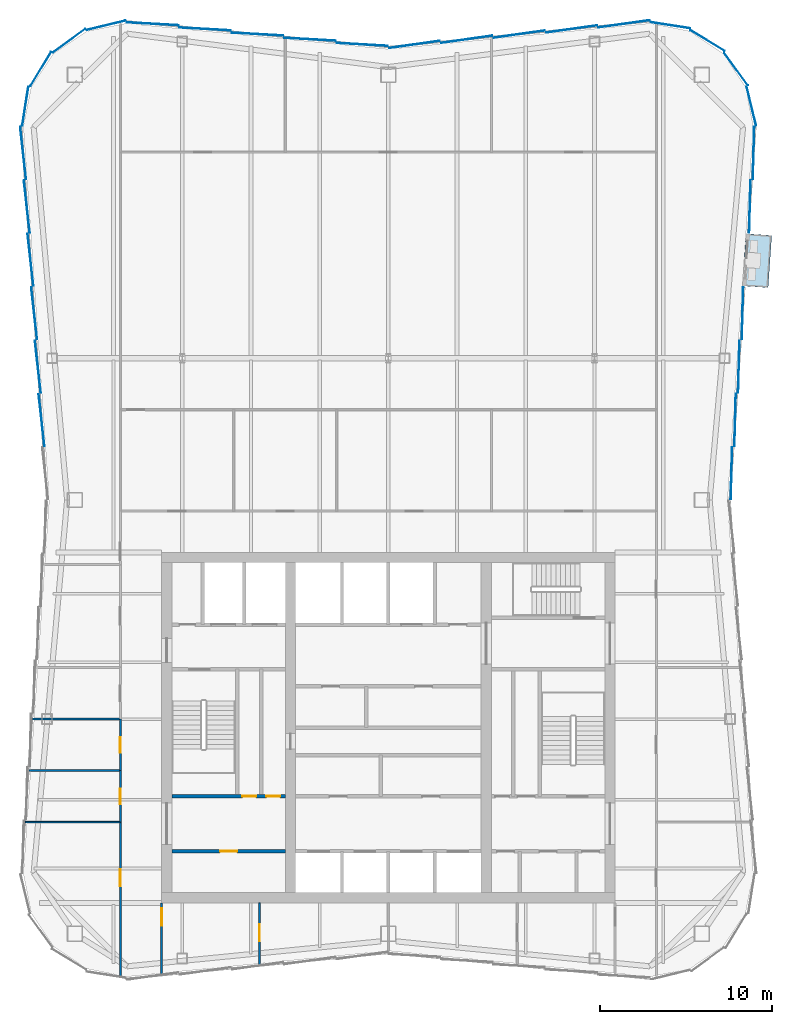
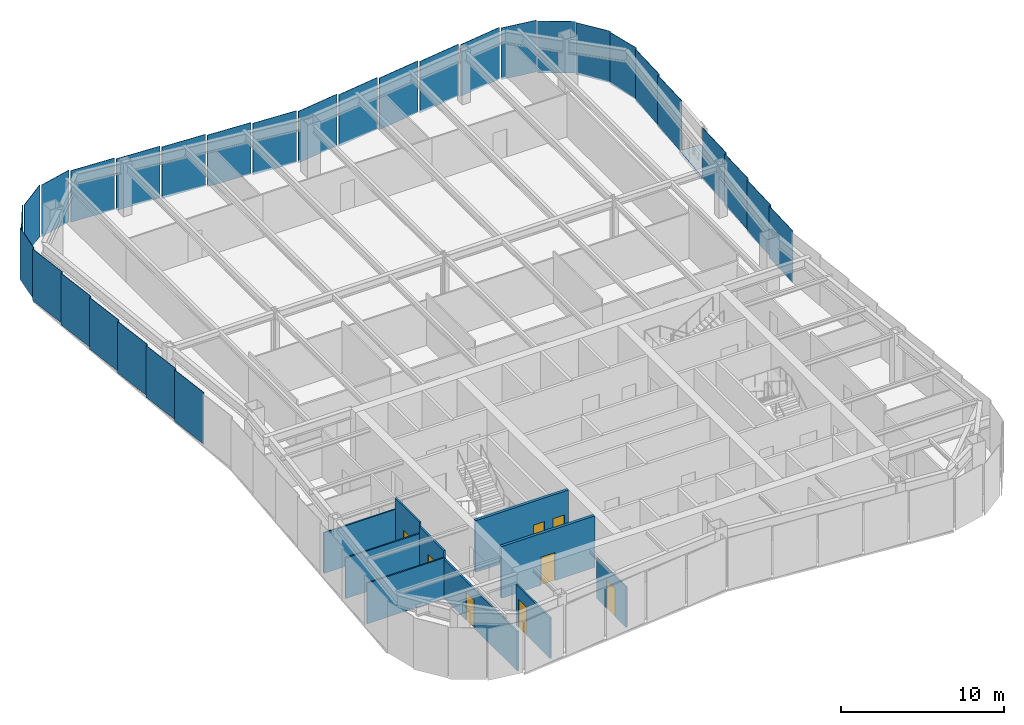
# One storey, part 5 of 10: 30 plates, 10 walls, 8 doors, 1 slab, 8 openings, 5 elements without a shape of their own.
"""IFC4 building model written with IfcOpenShell, lengths in metres."""

import ifcopenshell
import ifcopenshell.guid

model = None  # the IFC model being written
_history = None  # IfcOwnerHistory: only IFC2X3 demands one
_inside = {}  # id of a spatial element -> (the spatial element, [elements in it])
_under = {}  # id of a project, library or spatial element -> (it, [spatial elements below it])
_declared = {}  # id of a project -> (the project, [libraries it declares])
_typed = {}  # id of a type object -> (the type object, [elements of that type])
_made_of = {}  # id of a material, layer set ... -> (it, [elements and type objects made of it])


def new_model(schema):
    """Start an empty IFC model of exactly this schema.

    Asked for "IFC4X3", IfcOpenShell would pick the latest addendum, in which some entities
    have other attributes; the version numbers below select the first issue.
    IFC2X3 requires an IfcOwnerHistory on every rooted entity: one is made here for all.
    """
    global model, _history
    if schema == "IFC4X3":
        model = ifcopenshell.file(schema_version=(4, 3, 0, 0))
    else:
        model = ifcopenshell.file(schema=schema)
    _inside.clear()
    _under.clear()
    _declared.clear()
    _typed.clear()
    _made_of.clear()
    _history = None
    if model.schema == "IFC2X3":
        org = make("IfcOrganization", Name="unknown")
        user = make(
            "IfcPersonAndOrganization",
            ThePerson=make("IfcPerson", FamilyName="unknown"),
            TheOrganization=org,
        )
        app = make(
            "IfcApplication",
            ApplicationDeveloper=org,
            Version="unknown",
            ApplicationFullName="unknown",
            ApplicationIdentifier="unknown",
        )
        _history = make(
            "IfcOwnerHistory",
            OwningUser=user,
            OwningApplication=app,
            ChangeAction="ADDED",
            CreationDate=0,
        )
    return model


def make(cls, **values):
    """One entity of the class cls with the attributes given. An attribute that is None is left unset."""
    return model.create_entity(
        cls, **{name: value for name, value in values.items() if value is not None}
    )


def rooted(cls, **values):
    """An entity with a GlobalId (a new one), such as an element, a storey or a relation."""
    return make(cls, GlobalId=ifcopenshell.guid.new(), OwnerHistory=_history, **values)


def si_unit(unit_type, name, prefix=None):
    """IfcSIUnit, for example si_unit("LENGTHUNIT", "METRE", prefix="MILLI")."""
    return make("IfcSIUnit", UnitType=unit_type, Prefix=prefix, Name=name)


def assignment(units):
    """IfcUnitAssignment: the units of a project."""
    return None if units is None else make("IfcUnitAssignment", Units=units)


def point(xyz):
    """IfcCartesianPoint."""
    return None if xyz is None else make("IfcCartesianPoint", Coordinates=xyz)


def direction(xyz):
    """IfcDirection."""
    return None if xyz is None else make("IfcDirection", DirectionRatios=xyz)


def frame(location, z_axis=None, x_axis=None):
    """IfcAxis2Placement3D, a coordinate frame: its origin and axes. An axis left out is left unset."""
    return make(
        "IfcAxis2Placement3D",
        Location=point(location),
        Axis=direction(z_axis),
        RefDirection=direction(x_axis),
    )


def frame_2d(location, x_axis=None):
    """IfcAxis2Placement2D, a coordinate frame in the plane: its origin and x axis."""
    return make(
        "IfcAxis2Placement2D", Location=point(location), RefDirection=direction(x_axis)
    )


def origin():
    """The frame at (0, 0, 0) with its axes left unset."""
    return frame((0.0, 0.0, 0.0))


def origin_2d():
    """The frame at (0, 0) in the plane with its x axis left unset."""
    return frame_2d((0.0, 0.0))


def place(relative_to, where):
    """IfcLocalPlacement: puts the frame where relative to a parent placement (None: the world)."""
    return make(
        "IfcLocalPlacement", PlacementRelTo=relative_to, RelativePlacement=where
    )


def context(
    kind, dimensions, precision=None, world=None, true_north=None, identifier=None
):
    """IfcGeometricRepresentationContext, for example the 3D "Model" context."""
    return make(
        "IfcGeometricRepresentationContext",
        ContextIdentifier=identifier,
        ContextType=kind,
        CoordinateSpaceDimension=dimensions,
        Precision=precision,
        WorldCoordinateSystem=world,
        TrueNorth=true_north,
    )


def subcontext(parent, identifier, kind, view, scale=None):
    """IfcGeometricRepresentationSubContext, for example "Body" below "Model"."""
    return make(
        "IfcGeometricRepresentationSubContext",
        ContextIdentifier=identifier,
        ContextType=kind,
        ParentContext=parent,
        TargetScale=scale,
        TargetView=view,
    )


def project(units=None, contexts=None):
    """IfcProject with its units and contexts."""
    return rooted(
        "IfcProject",
        Name="project",
        RepresentationContexts=contexts,
        UnitsInContext=assignment(units),
    )


def spatial(cls, under=None, at=None, **own):
    """A site, building, storey or space (cls), placed at a placement, below another one or the project."""
    s = rooted(cls, ObjectPlacement=at, **own)
    if under is not None:
        _under.setdefault(under.id(), (under, []))[1].append(s)
    return s


def polyline(points):
    """IfcPolyline through the points."""
    return make("IfcPolyline", Points=[point(p) for p in points])


def profile(cls, at=None, kind="AREA", **sizes):
    """A parametric profile (cls). Its sizes go by their IFC names, for example OverallWidth=200.0."""
    return make(cls, ProfileType=kind, Position=at, **sizes)


def rectangle(**sizes):
    """IfcRectangleProfileDef."""
    return profile("IfcRectangleProfileDef", **sizes)


def outline(outer, holes=None, kind="AREA"):
    """IfcArbitraryClosedProfileDef: a profile drawn as a closed curve; with holes, ...WithVoids."""
    if holes is None:
        return make("IfcArbitraryClosedProfileDef", ProfileType=kind, OuterCurve=outer)
    return make(
        "IfcArbitraryProfileDefWithVoids",
        ProfileType=kind,
        OuterCurve=outer,
        InnerCurves=holes,
    )


def extrude(swept, where, along, depth):
    """IfcExtrudedAreaSolid: the profile swept, set in the frame where, extruded along a direction by depth."""
    return make(
        "IfcExtrudedAreaSolid",
        SweptArea=swept,
        Position=where,
        ExtrudedDirection=direction(along),
        Depth=depth,
    )


def shape(context_of_items, identifier, shape_type, items):
    """IfcShapeRepresentation: the items that make up one representation, for example the "Body"."""
    return make(
        "IfcShapeRepresentation",
        ContextOfItems=context_of_items,
        RepresentationIdentifier=identifier,
        RepresentationType=shape_type,
        Items=items,
    )


def material(Name=None, Category=None):
    """IfcMaterial."""
    return make("IfcMaterial", Name=Name, Category=Category)


def layer(
    of_material, thickness, ventilated=None, Name=None, Category=None, Priority=None
):
    """IfcMaterialLayer: one layer of a wall or slab, of a material (None: an air gap)."""
    return make(
        "IfcMaterialLayer",
        Material=of_material,
        LayerThickness=thickness,
        IsVentilated=ventilated,
        Name=Name,
        Category=Category,
        Priority=Priority,
    )


def layer_set(layers, Name=None):
    """IfcMaterialLayerSet."""
    return make("IfcMaterialLayerSet", MaterialLayers=layers, LayerSetName=Name)


def made_of(thing, what):
    """Note that an element or type object is made of a material, layer set ...; save() writes the relation."""
    if what is not None:
        _made_of.setdefault(what.id(), (what, []))[1].append(thing)
    return thing


def type_object(cls, material=None, **own):
    """A type object (cls), such as IfcWallType, which elements share."""
    return made_of(rooted(cls, **own), material)


def element(
    cls,
    number,
    at=None,
    inside=None,
    cuts=None,
    type_object=None,
    material=None,
    context=None,
    identifier="Body",
    shape_type=None,
    held_by="IfcProductDefinitionShape",
    body=None,
    shapes=None,
    **own,
):
    """One element of the class cls, such as IfcWall. Its Tag is "e" and its number.

    at: its placement. inside: the storey or other place that contains it. cuts: it is an
    opening in that element (IfcRelVoidsElement). A single representation is given by context,
    identifier, shape_type and body (its items); several are given by shapes. held_by: the class
    of the entity that holds the representations. save() writes the other relations.
    """
    e = rooted(cls, Tag="e%d" % number, ObjectPlacement=at, **own)
    if body is not None:
        shapes = [shape(context, identifier, shape_type, body)]
    if shapes is not None:
        e.Representation = make(held_by, Representations=shapes)
    if inside is not None:
        _inside.setdefault(inside.id(), (inside, []))[1].append(e)
    if cuts is not None:
        rooted(
            "IfcRelVoidsElement", RelatingBuildingElement=cuts, RelatedOpeningElement=e
        )
    if type_object is not None:
        _typed.setdefault(type_object.id(), (type_object, []))[1].append(e)
    return made_of(e, material)


def fill(opening, filler):
    """IfcRelFillsElement: the door or window that sits in an opening."""
    return rooted(
        "IfcRelFillsElement",
        RelatingOpeningElement=opening,
        RelatedBuildingElement=filler,
    )


def aggregate(whole, parts):
    """IfcRelAggregates: a whole, such as a stair, and the parts it consists of."""
    return rooted("IfcRelAggregates", RelatingObject=whole, RelatedObjects=parts)


def save(model, path):
    """Write the relations noted so far, then the file.

    IfcRelAggregates (storeys below a building ...), IfcRelContainedInSpatialStructure (elements
    in a storey), IfcRelDefinesByType, IfcRelAssociatesMaterial and IfcRelDeclares: one each for
    every whole, place, type object, material and project.
    """
    for whole, parts in _under.values():
        aggregate(whole, parts)
    for where, things in _inside.values():
        rooted(
            "IfcRelContainedInSpatialStructure",
            RelatedElements=things,
            RelatingStructure=where,
        )
    for kind, things in _typed.values():
        rooted("IfcRelDefinesByType", RelatedObjects=things, RelatingType=kind)
    for what, things in _made_of.values():
        rooted("IfcRelAssociatesMaterial", RelatedObjects=things, RelatingMaterial=what)
    for by, libraries in _declared.values():
        rooted("IfcRelDeclares", RelatingContext=by, RelatedDefinitions=libraries)
    model.write(path)


model = new_model("IFC4")

# Units and contexts
model_context = context("Model", 3, precision=1e-05, world=origin(), true_north=direction((0.0, 1.0)))
body_context = subcontext(model_context, "Body", "Model", "MODEL_VIEW")
ifc_project = project(units=[si_unit("LENGTHUNIT", "METRE"), si_unit("AREAUNIT", "SQUARE_METRE"), si_unit("VOLUMEUNIT", "CUBIC_METRE"), si_unit("PLANEANGLEUNIT", "RADIAN"), si_unit("MASSUNIT", "GRAM", prefix="KILO")], contexts=[model_context])

# Site, building, storey
site_placement = place(None, origin())
site = spatial("IfcSite", under=ifc_project, at=site_placement, CompositionType="ELEMENT")
building_placement = place(site_placement, origin())
building = spatial("IfcBuilding", under=site, at=building_placement, Name="Verdant Reach Tower", CompositionType="ELEMENT")
storey_placement = place(building_placement, frame((0.0, 0.0, 322.0)))
storey = spatial("IfcBuildingStorey", under=building, at=storey_placement, Name="L74", CompositionType="ELEMENT", Elevation=322.0)

# Slab
ifc_material_1 = material(Name="Concrete C35/45", Category="concrete")
ifc_layer_1 = layer(ifc_material_1, 0.25)
ifc_layer_set_1 = layer_set([ifc_layer_1], Name="EN-BALCONY SLAB")
slab_type = type_object("IfcSlabType", Name="EN-BALCONY SLAB", PredefinedType="FLOOR", material=ifc_layer_set_1)
slab_placement = place(storey_placement, frame((0.0, 0.0, -0.25)))
element("IfcSlab", 1, at=slab_placement, inside=storey, type_object=slab_type, Name="Balcony slab 1, L74", PredefinedType="FLOOR", context=body_context, shape_type="SweptSolid", body=[
    extrude(outline(polyline([(20.609619140625, 53.71337890625), (20.819091796875, 56.750732421875), (22.3154296875, 56.647705078125), (22.10595703125, 53.6103515625), (20.609619140625, 53.71337890625)])), origin(), (0.0, 0.0, 1.0), 0.25),
])

# Curtain wall, plates
ifc_material_2 = material(Name="Anodised aluminium", Category="aluminium")
curtain_wall_type = type_object("IfcCurtainWallType", Name="EN-CW SYSTEM Z5", PredefinedType="NOTDEFINED", material=ifc_material_2)
curtain_wall_1_placement = place(storey_placement, origin())
curtain_wall_1 = element("IfcCurtainWall", 2, at=curtain_wall_1_placement, inside=storey, type_object=curtain_wall_type, Name="Curtain wall east, L74", PredefinedType="NOTDEFINED")
ifc_material_3 = material(Name="Tinted glass with champagne spandrel", Category="glass")
ifc_layer_2 = layer(ifc_material_3, 0.031982421875)
ifc_layer_set_2 = layer_set([ifc_layer_2], Name="EN-PANEL CHAMPAGNE")
plate_type_1 = type_object("IfcPlateType", Name="EN-PANEL CHAMPAGNE", PredefinedType="CURTAIN_PANEL", material=ifc_layer_set_2)
plate_1_placement = place(storey_placement, frame((19.971923828125, 42.799560546875, -0.219970703125), z_axis=(0.0, 0.0, 1.0), x_axis=(0.027053006415, 0.999634000444, 0.0)))
plate_1 = element("IfcPlate", 3, at=plate_1_placement, type_object=plate_type_1, Name="Glass panel east face part 2 1.1, L74", PredefinedType="CURTAIN_PANEL", context=body_context, shape_type="SweptSolid", body=[
    extrude(rectangle(XDim=3.04052734375, YDim=0.031982421875, at=origin_2d()), origin(), (0.0, 0.0, 1.0), 3.8701171875),
])
plate_2_placement = place(storey_placement, frame((20.18603515625, 45.90283203125, -0.219970703125), z_axis=(0.0, 0.0, 1.0), x_axis=(0.026965318308, 0.999636369691, 0.0)))
plate_2 = element("IfcPlate", 4, at=plate_2_placement, type_object=plate_type_1, Name="Glass panel east face part 2 2.1, L74", PredefinedType="CURTAIN_PANEL", context=body_context, shape_type="SweptSolid", body=[
    extrude(rectangle(XDim=3.048583984375, YDim=0.031982421875, at=origin_2d()), origin(), (0.0, 0.0, 1.0), 3.8701171875),
])

curtain_wall_2_placement = place(storey_placement, origin())
curtain_wall_2 = element("IfcCurtainWall", 5, at=curtain_wall_2_placement, inside=storey, type_object=curtain_wall_type, Name="Curtain wall north, L74", PredefinedType="NOTDEFINED")
plate_3_placement = place(storey_placement, frame((4.563720703125, 68.064453125, -0.219970703125), z_axis=(0.0, 0.0, 1.0), x_axis=(-0.990225318365, -0.139476947446, 0.0)))
plate_3 = element("IfcPlate", 6, at=plate_3_placement, type_object=plate_type_1, Name="Glass panel north face part 1 4.1, L74", PredefinedType="CURTAIN_PANEL", context=body_context, shape_type="SweptSolid", body=[
    extrude(rectangle(XDim=2.998779296875, YDim=0.031982421875, at=origin_2d()), origin(), (0.0, 0.0, 1.0), 3.8701171875),
])
plate_4_placement = place(storey_placement, frame((1.519287109375, 67.7646484375, -0.219970703125), z_axis=(0.0, 0.0, 1.0), x_axis=(-0.990200074141, -0.139656053116, 0.0)))
plate_4 = element("IfcPlate", 7, at=plate_4_placement, type_object=plate_type_1, Name="Glass panel north face part 1 5.1, L74", PredefinedType="CURTAIN_PANEL", context=body_context, shape_type="SweptSolid", body=[
    extrude(rectangle(XDim=2.987548828125, YDim=0.031982421875, at=origin_2d()), origin(), (0.0, 0.0, 1.0), 3.8701171875),
])

# Curtain wall, plate
curtain_wall_3_placement = place(storey_placement, origin())
curtain_wall_3 = element("IfcCurtainWall", 8, at=curtain_wall_3_placement, inside=storey, type_object=curtain_wall_type, Name="Curtain wall north-west corner, L74", PredefinedType="NOTDEFINED")
plate_5_placement = place(storey_placement, frame((-21.132080078125, 64.173828125, -0.219970703125), z_axis=(0.0, 0.0, 1.0), x_axis=(-0.154337499461, -0.988018186199, 0.0)))
plate_5 = element("IfcPlate", 9, at=plate_5_placement, type_object=plate_type_1, Name="Glass panel north-west corner 4.1, L74", PredefinedType="CURTAIN_PANEL", context=body_context, shape_type="SweptSolid", body=[
    extrude(rectangle(XDim=2.312744140625, YDim=0.031982421875, at=origin_2d()), origin(), (0.0, 0.0, 1.0), 3.8701171875),
])

# Curtain wall, plates
curtain_wall_4_placement = place(storey_placement, origin())
curtain_wall_4 = element("IfcCurtainWall", 10, at=curtain_wall_4_placement, inside=storey, type_object=curtain_wall_type, Name="Curtain wall west, L74", PredefinedType="NOTDEFINED")
plate_6_placement = place(storey_placement, frame((-20.8291015625, 55.22412109375, -0.219970703125), z_axis=(0.0, 0.0, 1.0), x_axis=(0.110518162674, -0.993874104562, 0.0)))
plate_6 = element("IfcPlate", 11, at=plate_6_placement, type_object=plate_type_1, Name="Glass panel west face part 1 3.1, L74", PredefinedType="CURTAIN_PANEL", context=body_context, shape_type="SweptSolid", body=[
    extrude(rectangle(XDim=3.048583984375, YDim=0.031982421875, at=origin_2d()), origin(), (0.0, 0.0, 1.0), 3.8701171875),
])
plate_7_placement = place(storey_placement, frame((-20.61474609375, 52.1171875, -0.219970703125), z_axis=(0.0, 0.0, 1.0), x_axis=(0.110518162674, -0.993874104562, 0.0)))
plate_7 = element("IfcPlate", 12, at=plate_7_placement, type_object=plate_type_1, Name="Glass panel west face part 1 4.1, L74", PredefinedType="CURTAIN_PANEL", context=body_context, shape_type="SweptSolid", body=[
    extrude(rectangle(XDim=3.048583984375, YDim=0.031982421875, at=origin_2d()), origin(), (0.0, 0.0, 1.0), 3.8701171875),
])

# Plate
ifc_material_4 = material(Name="Tinted glass with copper spandrel", Category="glass")
ifc_layer_3 = layer(ifc_material_4, 0.031982421875)
ifc_layer_set_3 = layer_set([ifc_layer_3], Name="EN-PANEL COPPER")
plate_type_2 = type_object("IfcPlateType", Name="EN-PANEL COPPER", PredefinedType="CURTAIN_PANEL", material=ifc_layer_set_3)
plate_8_placement = place(storey_placement, frame((20.400390625, 49.010009765625, -0.219970703125), z_axis=(0.0, 0.0, 1.0), x_axis=(0.026965318308, 0.999636369691, 0.0)))
plate_8 = element("IfcPlate", 13, at=plate_8_placement, type_object=plate_type_2, Name="Glass panel east face part 2 3.1, L74", PredefinedType="CURTAIN_PANEL", context=body_context, shape_type="SweptSolid", body=[
    extrude(rectangle(XDim=3.048583984375, YDim=0.031982421875, at=origin_2d()), origin(), (0.0, 0.0, 1.0), 3.8701171875),
])

plate_9_placement = place(storey_placement, frame((20.61474609375, 52.1171875, -0.219970703125), z_axis=(0.0, 0.0, 1.0), x_axis=(0.026965318308, 0.999636369691, 0.0)))
plate_9 = element("IfcPlate", 14, at=plate_9_placement, type_object=plate_type_2, Name="Glass panel east face part 2 4.1, L74", PredefinedType="CURTAIN_PANEL", context=body_context, shape_type="SweptSolid", body=[
    extrude(rectangle(XDim=3.048583984375, YDim=0.031982421875, at=origin_2d()), origin(), (0.0, 0.0, 1.0), 3.8701171875),
])

# Curtain wall, plates
curtain_wall_5_placement = place(storey_placement, origin())
curtain_wall_5 = element("IfcCurtainWall", 15, at=curtain_wall_5_placement, inside=storey, type_object=curtain_wall_type, Name="Curtain wall north-east corner, L74", PredefinedType="NOTDEFINED")
plate_10_placement = place(storey_placement, frame((21.132080078125, 64.173828125, -0.219970703125), z_axis=(0.0, 0.0, 1.0), x_axis=(-0.236471447122, 0.971638438256, 0.0)))
plate_10 = element("IfcPlate", 16, at=plate_10_placement, type_object=plate_type_2, Name="Glass panel north-east corner 1.1, L74", PredefinedType="CURTAIN_PANEL", context=body_context, shape_type="SweptSolid", body=[
    extrude(rectangle(XDim=2.312744140625, YDim=0.031982421875, at=origin_2d()), origin(), (0.0, 0.0, 1.0), 3.8701171875),
])
plate_11_placement = place(storey_placement, frame((20.23681640625, 66.33203125, -0.219970703125), z_axis=(0.0, 0.0, 1.0), x_axis=(-0.58992672698, 0.807456783236, 0.0)))
plate_11 = element("IfcPlate", 17, at=plate_11_placement, type_object=plate_type_2, Name="Glass panel north-east corner 2.1, L74", PredefinedType="CURTAIN_PANEL", context=body_context, shape_type="SweptSolid", body=[
    extrude(rectangle(XDim=2.320068359375, YDim=0.031982421875, at=origin_2d()), origin(), (0.0, 0.0, 1.0), 3.8701171875),
])
plate_12_placement = place(storey_placement, frame((18.58203125, 67.98681640625, -0.219970703125), z_axis=(0.0, 0.0, 1.0), x_axis=(-0.853988714885, 0.520291528711, 0.0)))
plate_12 = element("IfcPlate", 18, at=plate_12_placement, type_object=plate_type_2, Name="Glass panel north-east corner 3.1, L74", PredefinedType="CURTAIN_PANEL", context=body_context, shape_type="SweptSolid", body=[
    extrude(rectangle(XDim=2.320068359375, YDim=0.031982421875, at=origin_2d()), origin(), (0.0, 0.0, 1.0), 3.8701171875),
])

# Plate
plate_13_placement = place(storey_placement, frame((13.72216796875, 68.964599609375, -0.219970703125), z_axis=(0.0, 0.0, 1.0), x_axis=(-0.990281521639, -0.139077345032, 0.0)))
plate_13 = element("IfcPlate", 19, at=plate_13_placement, type_object=plate_type_2, Name="Glass panel north face part 1 1.1, L74", PredefinedType="CURTAIN_PANEL", context=body_context, shape_type="SweptSolid", body=[
    extrude(rectangle(XDim=3.015625, YDim=0.031982421875, at=origin_2d()), origin(), (0.0, 0.0, 1.0), 3.8701171875),
])

plate_14_placement = place(storey_placement, frame((-1.519287109375, 67.7646484375, -0.219970703125), z_axis=(0.0, 0.0, 1.0), x_axis=(-0.998413420442, 0.05630845301, 0.0)))
plate_14 = element("IfcPlate", 20, at=plate_14_placement, type_object=plate_type_2, Name="Glass panel north face part 2 1.1, L74", PredefinedType="CURTAIN_PANEL", context=body_context, shape_type="SweptSolid", body=[
    extrude(rectangle(XDim=2.987548828125, YDim=0.031982421875, at=origin_2d()), origin(), (0.0, 0.0, 1.0), 3.8701171875),
])

plate_15_placement = place(storey_placement, frame((-4.563720703125, 68.064453125, -0.219970703125), z_axis=(0.0, 0.0, 1.0), x_axis=(-0.998423588956, 0.056127863106, 0.0)))
plate_15 = element("IfcPlate", 21, at=plate_15_placement, type_object=plate_type_2, Name="Glass panel north face part 2 2.1, L74", PredefinedType="CURTAIN_PANEL", context=body_context, shape_type="SweptSolid", body=[
    extrude(rectangle(XDim=2.998779296875, YDim=0.031982421875, at=origin_2d()), origin(), (0.0, 0.0, 1.0), 3.8701171875),
])

plate_16_placement = place(storey_placement, frame((-16.4228515625, 68.88232421875, -0.219970703125), z_axis=(0.0, 0.0, 1.0), x_axis=(-0.971661765526, -0.236375577028, 0.0)))
plate_16 = element("IfcPlate", 22, at=plate_16_placement, type_object=plate_type_2, Name="Glass panel north-west corner 1.1, L74", PredefinedType="CURTAIN_PANEL", context=body_context, shape_type="SweptSolid", body=[
    extrude(rectangle(XDim=2.314453125, YDim=0.031982421875, at=origin_2d()), origin(), (0.0, 0.0, 1.0), 3.8701171875),
])

plate_17_placement = place(storey_placement, frame((-20.400390625, 49.010009765625, -0.219970703125), z_axis=(0.0, 0.0, 1.0), x_axis=(0.110518162674, -0.993874104562, 0.0)))
plate_17 = element("IfcPlate", 23, at=plate_17_placement, type_object=plate_type_2, Name="Glass panel west face part 1 5.1, L74", PredefinedType="CURTAIN_PANEL", context=body_context, shape_type="SweptSolid", body=[
    extrude(rectangle(XDim=3.048583984375, YDim=0.031982421875, at=origin_2d()), origin(), (0.0, 0.0, 1.0), 3.8701171875),
])

plate_18_placement = place(storey_placement, frame((-20.18603515625, 45.90283203125, -0.219970703125), z_axis=(0.0, 0.0, 1.0), x_axis=(0.110518162674, -0.993874104562, 0.0)))
plate_18 = element("IfcPlate", 24, at=plate_18_placement, type_object=plate_type_2, Name="Glass panel west face part 1 6.1, L74", PredefinedType="CURTAIN_PANEL", context=body_context, shape_type="SweptSolid", body=[
    extrude(rectangle(XDim=3.048583984375, YDim=0.031982421875, at=origin_2d()), origin(), (0.0, 0.0, 1.0), 3.8701171875),
])

ifc_material_5 = material(Name="Tinted glass with dark bronze spandrel", Category="glass")
ifc_layer_4 = layer(ifc_material_5, 0.031982421875)
ifc_layer_set_4 = layer_set([ifc_layer_4], Name="EN-PANEL DARK")
plate_type_3 = type_object("IfcPlateType", Name="EN-PANEL DARK", PredefinedType="CURTAIN_PANEL", material=ifc_layer_set_4)
plate_19_placement = place(storey_placement, frame((21.043212890625, 58.331298828125, -0.219970703125), z_axis=(0.0, 0.0, 1.0), x_axis=(0.026965318308, 0.999636369691, 0.0)))
plate_19 = element("IfcPlate", 25, at=plate_19_placement, type_object=plate_type_3, Name="Glass panel east face part 2 6.1, L74", PredefinedType="CURTAIN_PANEL", context=body_context, shape_type="SweptSolid", body=[
    extrude(rectangle(XDim=3.048583984375, YDim=0.031982421875, at=origin_2d()), origin(), (0.0, 0.0, 1.0), 3.8701171875),
])

plate_20_placement = place(storey_placement, frame((21.257568359375, 61.446044921875, -0.219970703125), z_axis=(0.0, 0.0, 1.0), x_axis=(0.026642881595, 0.999645015423, 0.0)))
plate_20 = element("IfcPlate", 26, at=plate_20_placement, type_object=plate_type_3, Name="Glass panel east face part 2 7.1, L74", PredefinedType="CURTAIN_PANEL", context=body_context, shape_type="SweptSolid", body=[
    extrude(rectangle(XDim=3.063720703125, YDim=0.031982421875, at=origin_2d()), origin(), (0.0, 0.0, 1.0), 3.8701171875),
])

aggregate(curtain_wall_1, [plate_1, plate_2, plate_8, plate_9, plate_19, plate_20])

plate_21_placement = place(storey_placement, frame((16.4228515625, 68.88232421875, -0.219970703125), z_axis=(0.0, 0.0, 1.0), x_axis=(-0.988033409454, 0.154240013621, 0.0)))
plate_21 = element("IfcPlate", 27, at=plate_21_placement, type_object=plate_type_3, Name="Glass panel north-east corner 4.1, L74", PredefinedType="CURTAIN_PANEL", context=body_context, shape_type="SweptSolid", body=[
    extrude(rectangle(XDim=2.314453125, YDim=0.031982421875, at=origin_2d()), origin(), (0.0, 0.0, 1.0), 3.8701171875),
])

aggregate(curtain_wall_5, [plate_10, plate_11, plate_12, plate_21])

plate_22_placement = place(storey_placement, frame((10.663818359375, 68.66455078125, -0.219970703125), z_axis=(0.0, 0.0, 1.0), x_axis=(-0.990225318365, -0.139476947446, 0.0)))
plate_22 = element("IfcPlate", 28, at=plate_22_placement, type_object=plate_type_3, Name="Glass panel north face part 1 2.1, L74", PredefinedType="CURTAIN_PANEL", context=body_context, shape_type="SweptSolid", body=[
    extrude(rectangle(XDim=2.998779296875, YDim=0.031982421875, at=origin_2d()), origin(), (0.0, 0.0, 1.0), 3.8701171875),
])

plate_23_placement = place(storey_placement, frame((7.61376953125, 68.364501953125, -0.219970703125), z_axis=(0.0, 0.0, 1.0), x_axis=(-0.990225318365, -0.139476947446, 0.0)))
plate_23 = element("IfcPlate", 29, at=plate_23_placement, type_object=plate_type_3, Name="Glass panel north face part 1 3.1, L74", PredefinedType="CURTAIN_PANEL", context=body_context, shape_type="SweptSolid", body=[
    extrude(rectangle(XDim=2.998779296875, YDim=0.031982421875, at=origin_2d()), origin(), (0.0, 0.0, 1.0), 3.8701171875),
])

plate_24_placement = place(storey_placement, frame((-7.61376953125, 68.364501953125, -0.219970703125), z_axis=(0.0, 0.0, 1.0), x_axis=(-0.998423588956, 0.056127863106, 0.0)))
plate_24 = element("IfcPlate", 30, at=plate_24_placement, type_object=plate_type_3, Name="Glass panel north face part 2 3.1, L74", PredefinedType="CURTAIN_PANEL", context=body_context, shape_type="SweptSolid", body=[
    extrude(rectangle(XDim=2.998779296875, YDim=0.031982421875, at=origin_2d()), origin(), (0.0, 0.0, 1.0), 3.8701171875),
])

plate_25_placement = place(storey_placement, frame((-10.663818359375, 68.66455078125, -0.219970703125), z_axis=(0.0, 0.0, 1.0), x_axis=(-0.998423588956, 0.056127863106, 0.0)))
plate_25 = element("IfcPlate", 31, at=plate_25_placement, type_object=plate_type_3, Name="Glass panel north face part 2 4.1, L74", PredefinedType="CURTAIN_PANEL", context=body_context, shape_type="SweptSolid", body=[
    extrude(rectangle(XDim=2.998779296875, YDim=0.031982421875, at=origin_2d()), origin(), (0.0, 0.0, 1.0), 3.8701171875),
])

plate_26_placement = place(storey_placement, frame((-13.72216796875, 68.964599609375, -0.219970703125), z_axis=(0.0, 0.0, 1.0), x_axis=(-0.998446157248, 0.055724959185, 0.0)))
plate_26 = element("IfcPlate", 32, at=plate_26_placement, type_object=plate_type_3, Name="Glass panel north face part 2 5.1, L74", PredefinedType="CURTAIN_PANEL", context=body_context, shape_type="SweptSolid", body=[
    extrude(rectangle(XDim=3.015625, YDim=0.031982421875, at=origin_2d()), origin(), (0.0, 0.0, 1.0), 3.8701171875),
])

aggregate(curtain_wall_2, [plate_13, plate_22, plate_23, plate_3, plate_4, plate_14, plate_15, plate_24, plate_25, plate_26])

plate_27_placement = place(storey_placement, frame((-18.58203125, 67.98681640625, -0.219970703125), z_axis=(0.0, 0.0, 1.0), x_axis=(-0.807456783236, -0.58992672698, 0.0)))
plate_27 = element("IfcPlate", 33, at=plate_27_placement, type_object=plate_type_3, Name="Glass panel north-west corner 2.1, L74", PredefinedType="CURTAIN_PANEL", context=body_context, shape_type="SweptSolid", body=[
    extrude(rectangle(XDim=2.320068359375, YDim=0.031982421875, at=origin_2d()), origin(), (0.0, 0.0, 1.0), 3.8701171875),
])

plate_28_placement = place(storey_placement, frame((-20.23681640625, 66.33203125, -0.219970703125), z_axis=(0.0, 0.0, 1.0), x_axis=(-0.520291528711, -0.853988714885, 0.0)))
plate_28 = element("IfcPlate", 34, at=plate_28_placement, type_object=plate_type_3, Name="Glass panel north-west corner 3.1, L74", PredefinedType="CURTAIN_PANEL", context=body_context, shape_type="SweptSolid", body=[
    extrude(rectangle(XDim=2.320068359375, YDim=0.031982421875, at=origin_2d()), origin(), (0.0, 0.0, 1.0), 3.8701171875),
])

aggregate(curtain_wall_3, [plate_16, plate_27, plate_28, plate_5])

plate_29_placement = place(storey_placement, frame((-21.257568359375, 61.446044921875, -0.219970703125), z_axis=(0.0, 0.0, 1.0), x_axis=(0.110197580247, -0.993909700782, 0.0)))
plate_29 = element("IfcPlate", 35, at=plate_29_placement, type_object=plate_type_3, Name="Glass panel west face part 1 1.1, L74", PredefinedType="CURTAIN_PANEL", context=body_context, shape_type="SweptSolid", body=[
    extrude(rectangle(XDim=3.063720703125, YDim=0.031982421875, at=origin_2d()), origin(), (0.0, 0.0, 1.0), 3.8701171875),
])

plate_30_placement = place(storey_placement, frame((-21.043212890625, 58.331298828125, -0.219970703125), z_axis=(0.0, 0.0, 1.0), x_axis=(0.110518162674, -0.993874104562, 0.0)))
plate_30 = element("IfcPlate", 36, at=plate_30_placement, type_object=plate_type_3, Name="Glass panel west face part 1 2.1, L74", PredefinedType="CURTAIN_PANEL", context=body_context, shape_type="SweptSolid", body=[
    extrude(rectangle(XDim=3.048583984375, YDim=0.031982421875, at=origin_2d()), origin(), (0.0, 0.0, 1.0), 3.8701171875),
])

aggregate(curtain_wall_4, [plate_29, plate_30, plate_6, plate_7, plate_17, plate_18])

# Wall, opening, door
ifc_material_6 = material(Name="Gypsum board on steel studs", Category="steel")
ifc_layer_5 = layer(ifc_material_6, 0.199951171875)
ifc_layer_set_5 = layer_set([ifc_layer_5], Name="CO-WALL-ROOM")
wall_type_1 = type_object("IfcWallType", Name="CO-WALL-ROOM", PredefinedType="PARTITIONING", material=ifc_layer_set_5)
wall_1_placement = place(storey_placement, frame((-12.60009765625, 20.800048828125, 0.0), z_axis=(0.0, 0.0, 1.0), x_axis=(1.0, 0.0, 0.0)))
wall_1 = element("IfcWall", 37, at=wall_1_placement, inside=storey, type_object=wall_type_1, Name="Core partition, L74", PredefinedType="PARTITIONING", context=body_context, shape_type="SweptSolid", body=[
    extrude(rectangle(XDim=6.60009765625, YDim=0.199951171875, at=frame_2d((3.300048828125, 0.0))), origin(), (0.0, 0.0, 1.0), 3.8701171875),
])
opening_1_placement = place(wall_1_placement, frame((2.800048828125, 0.0, 0.0)))
opening_1 = element("IfcOpeningElement", 38, at=opening_1_placement, cuts=wall_1, Name="Opening CD", PredefinedType="OPENING", context=body_context, shape_type="SweptSolid", body=[
    extrude(rectangle(XDim=1.0, YDim=2.10009765625, at=frame_2d((0.5, 1.050048828125))), frame((0.0, 0.10986328125, 0.0), z_axis=(0.0, -1.0, 0.0), x_axis=(1.0, 0.0, 0.0)), (0.0, 0.0, 1.0), 0.219970703125),
])
ifc_material_7 = material(Name="Timber", Category="wood")
door_type_1 = type_object("IfcDoorType", Name="CO-DOOR-ROOM", OperationType="NOTDEFINED", PredefinedType="DOOR", material=ifc_material_7)
door_1_placement = place(opening_1_placement, origin())
door_1 = element("IfcDoor", 39, at=door_1_placement, inside=storey, type_object=door_type_1, Name="Core room door, L74", OperationType="SINGLE_SWING_LEFT", OverallHeight=2.10009765625, OverallWidth=1.0, PredefinedType="DOOR", context=body_context, shape_type="SweptSolid", body=[
    extrude(rectangle(XDim=1.0, YDim=2.10009765625, at=frame_2d((0.5, 1.050048828125))), frame((0.0, 0.02490234375, 0.0), z_axis=(0.0, -1.0, 0.0), x_axis=(1.0, 0.0, 0.0)), (0.0, 0.0, 1.0), 0.050048828125),
])
fill(opening_1, door_1)

# Wall, openings, doors
ifc_material_8 = material(Name="Concrete C40/50", Category="concrete")
ifc_layer_6 = layer(ifc_material_8, 0.199951171875)
ifc_layer_set_6 = layer_set([ifc_layer_6], Name="CO-WALL-STAIR")
wall_type_2 = type_object("IfcWallType", Name="CO-WALL-STAIR", PredefinedType="PARTITIONING", material=ifc_layer_set_6)
wall_2_placement = place(storey_placement, frame((-12.60009765625, 24.0, 0.0), z_axis=(0.0, 0.0, 1.0), x_axis=(1.0, 0.0, 0.0)))
wall_2 = element("IfcWall", 40, at=wall_2_placement, inside=storey, type_object=wall_type_2, Name="Stair enclosure wall, L74", PredefinedType="PARTITIONING", context=body_context, shape_type="SweptSolid", body=[
    extrude(rectangle(XDim=6.60009765625, YDim=0.199951171875, at=frame_2d((3.300048828125, 0.0))), origin(), (0.0, 0.0, 1.0), 3.8701171875),
])
opening_2_placement = place(wall_2_placement, frame((4.10009765625, 0.0, 0.0)))
opening_2 = element("IfcOpeningElement", 41, at=opening_2_placement, cuts=wall_2, Name="Opening CDN", PredefinedType="OPENING", context=body_context, shape_type="SweptSolid", body=[
    extrude(rectangle(XDim=0.800048828125, YDim=2.10009765625, at=frame_2d((0.39990234375, 1.050048828125))), frame((0.0, 0.10986328125, 0.0), z_axis=(0.0, -1.0, 0.0), x_axis=(1.0, 0.0, 0.0)), (0.0, 0.0, 1.0), 0.219970703125),
])
opening_3_placement = place(wall_2_placement, frame((5.5, 0.0, 0.0)))
opening_3 = element("IfcOpeningElement", 42, at=opening_3_placement, cuts=wall_2, Name="Opening CDN", PredefinedType="OPENING", context=body_context, shape_type="SweptSolid", body=[
    extrude(rectangle(XDim=0.800048828125, YDim=2.10009765625, at=frame_2d((0.39990234375, 1.050048828125))), frame((0.0, 0.10986328125, 0.0), z_axis=(0.0, -1.0, 0.0), x_axis=(1.0, 0.0, 0.0)), (0.0, 0.0, 1.0), 0.219970703125),
])
door_type_2 = type_object("IfcDoorType", Name="CO-DOOR-ROOM-NARROW", OperationType="NOTDEFINED", PredefinedType="DOOR", material=ifc_material_7)
door_2_placement = place(opening_2_placement, origin())
door_2 = element("IfcDoor", 43, at=door_2_placement, inside=storey, type_object=door_type_2, Name="Core room door, L74", OperationType="SINGLE_SWING_LEFT", OverallHeight=2.10009765625, OverallWidth=0.800048828125, PredefinedType="DOOR", context=body_context, shape_type="SweptSolid", body=[
    extrude(rectangle(XDim=0.800048828125, YDim=2.10009765625, at=frame_2d((0.39990234375, 1.050048828125))), frame((0.0, 0.02490234375, 0.0), z_axis=(0.0, -1.0, 0.0), x_axis=(1.0, 0.0, 0.0)), (0.0, 0.0, 1.0), 0.050048828125),
])
fill(opening_2, door_2)
door_3_placement = place(opening_3_placement, origin())
door_3 = element("IfcDoor", 44, at=door_3_placement, inside=storey, type_object=door_type_2, Name="Core room door, L74", OperationType="SINGLE_SWING_RIGHT", OverallHeight=2.10009765625, OverallWidth=0.800048828125, PredefinedType="DOOR", context=body_context, shape_type="SweptSolid", body=[
    extrude(rectangle(XDim=0.800048828125, YDim=2.10009765625, at=frame_2d((0.39990234375, 1.050048828125))), frame((0.0, 0.02490234375, 0.0), z_axis=(0.0, -1.0, 0.0), x_axis=(1.0, 0.0, 0.0)), (0.0, 0.0, 1.0), 0.050048828125),
])
fill(opening_3, door_3)

# Walls
ifc_layer_7 = layer(ifc_material_6, 0.10009765625)
ifc_layer_set_7 = layer_set([ifc_layer_7], Name="FL-W1 Partition 100")
wall_type_3 = type_object("IfcWallType", Name="FL-W1 Partition 100", PredefinedType="PARTITIONING", material=ifc_layer_set_7)
wall_3_placement = place(storey_placement, frame((-15.60009765625, 22.5, 0.0), z_axis=(0.0, 0.0, 1.0), x_axis=(-1.0, 0.0, 0.0)))
element("IfcWall", 45, at=wall_3_placement, inside=storey, type_object=wall_type_3, Name="Partition 74.16", PredefinedType="PARTITIONING", context=body_context, shape_type="SweptSolid", body=[
    extrude(rectangle(XDim=5.52294921875, YDim=0.10009765625, at=frame_2d((2.761474609375, 0.0))), origin(), (0.0, 0.0, 1.0), 3.0400390625),
])
wall_4_placement = place(storey_placement, frame((-15.60009765625, 25.5, 0.0), z_axis=(0.0, 0.0, 1.0), x_axis=(-1.0, 0.0, 0.0)))
element("IfcWall", 46, at=wall_4_placement, inside=storey, type_object=wall_type_3, Name="Partition 74.17", PredefinedType="PARTITIONING", context=body_context, shape_type="SweptSolid", body=[
    extrude(rectangle(XDim=5.316162109375, YDim=0.10009765625, at=frame_2d((2.658203125, 0.0))), origin(), (0.0, 0.0, 1.0), 3.0400390625),
])
wall_5_placement = place(storey_placement, frame((-15.60009765625, 28.5, 0.0), z_axis=(0.0, 0.0, 1.0), x_axis=(-1.0, 0.0, 0.0)))
element("IfcWall", 47, at=wall_5_placement, inside=storey, type_object=wall_type_3, Name="Partition 74.18", PredefinedType="PARTITIONING", context=body_context, shape_type="SweptSolid", body=[
    extrude(rectangle(XDim=5.109130859375, YDim=0.10009765625, at=frame_2d((2.5546875, 0.0))), origin(), (0.0, 0.0, 1.0), 3.0400390625),
])

# Wall, opening, door
wall_6_placement = place(storey_placement, frame((-7.5, 17.800048828125, 0.0), z_axis=(0.0, 0.0, 1.0), x_axis=(0.0, -1.0, 0.0)))
wall_6 = element("IfcWall", 48, at=wall_6_placement, inside=storey, type_object=wall_type_3, Name="Partition 74.29", PredefinedType="PARTITIONING", context=body_context, shape_type="SweptSolid", body=[
    extrude(rectangle(XDim=3.61767578125, YDim=0.10009765625, at=frame_2d((1.808837890625, 0.0))), origin(), (0.0, 0.0, 1.0), 3.0400390625),
])
opening_4_placement = place(wall_6_placement, frame((1.24365234375, 0.0, 0.0)))
opening_4 = element("IfcOpeningElement", 49, at=opening_4_placement, cuts=wall_6, Name="Opening D3", PredefinedType="OPENING", context=body_context, shape_type="SweptSolid", body=[
    extrude(rectangle(XDim=1.0, YDim=2.10009765625, at=frame_2d((0.5, 1.050048828125))), frame((0.0, 0.06005859375, 0.0), z_axis=(0.0, -1.0, 0.0), x_axis=(1.0, 0.0, 0.0)), (0.0, 0.0, 1.0), 0.1201171875),
])
ifc_material_9 = material(Name="Painted timber door leaf", Category="wood")
door_type_3 = type_object("IfcDoorType", Name="FL-D3 Door 1000x2100", OperationType="NOTDEFINED", PredefinedType="DOOR", material=ifc_material_9)
door_4_placement = place(opening_4_placement, origin())
door_4 = element("IfcDoor", 50, at=door_4_placement, inside=storey, type_object=door_type_3, Name="Door 74-016", OperationType="SINGLE_SWING_LEFT", OverallHeight=2.10009765625, OverallWidth=1.0, PredefinedType="DOOR", context=body_context, shape_type="SweptSolid", body=[
    extrude(rectangle(XDim=1.0, YDim=2.10009765625, at=frame_2d((0.5, 1.050048828125))), frame((0.0, 0.02490234375, 0.0), z_axis=(0.0, -1.0, 0.0), x_axis=(1.0, 0.0, 0.0)), (0.0, 0.0, 1.0), 0.050048828125),
])
fill(opening_4, door_4)

ifc_material_10 = material(Name="Gypsum board on steel studs, fire rated", Category="steel")
ifc_layer_8 = layer(ifc_material_10, 0.125)
ifc_layer_set_8 = layer_set([ifc_layer_8], Name="FL-W2 Corridor wall 125")
wall_type_4 = type_object("IfcWallType", Name="FL-W2 Corridor wall 125", PredefinedType="PARTITIONING", material=ifc_layer_set_8)
wall_7_placement = place(storey_placement, frame((-15.60009765625, 13.489501953125, 0.0), z_axis=(0.0, 0.0, 1.0), x_axis=(0.0, 1.0, 0.0)))
wall_7 = element("IfcWall", 51, at=wall_7_placement, inside=storey, type_object=wall_type_4, Name="Partition 74.01", PredefinedType="PARTITIONING", context=body_context, shape_type="SweptSolid", body=[
    extrude(rectangle(XDim=9.010498046875, YDim=0.125, at=frame_2d((4.50537109375, 0.0))), origin(), (0.0, 0.0, 1.0), 2.929931640625),
])
opening_5_placement = place(wall_7_placement, frame((5.270751953125, 0.0, 0.0)))
opening_5 = element("IfcOpeningElement", 52, at=opening_5_placement, cuts=wall_7, Name="Opening D2", PredefinedType="OPENING", context=body_context, shape_type="SweptSolid", body=[
    extrude(rectangle(XDim=1.0, YDim=2.10009765625, at=frame_2d((0.5, 1.050048828125))), frame((0.0, 0.072509765625, 0.0), z_axis=(0.0, -1.0, 0.0), x_axis=(1.0, 0.0, 0.0)), (0.0, 0.0, 1.0), 0.14501953125),
])
ifc_material_11 = material(Name="Timber door leaf, fire rated", Category="wood")
door_type_4 = type_object("IfcDoorType", Name="FL-D2 Entrance door 1000x2100 FD30", OperationType="NOTDEFINED", PredefinedType="DOOR", material=ifc_material_11)
door_5_placement = place(opening_5_placement, origin())
door_5 = element("IfcDoor", 53, at=door_5_placement, inside=storey, type_object=door_type_4, Name="Door 74-001", OperationType="SINGLE_SWING_RIGHT", OverallHeight=2.10009765625, OverallWidth=1.0, PredefinedType="DOOR", context=body_context, shape_type="SweptSolid", body=[
    extrude(rectangle(XDim=1.0, YDim=2.10009765625, at=frame_2d((0.5, 1.050048828125))), frame((0.0, 0.02490234375, 0.0), z_axis=(0.0, -1.0, 0.0), x_axis=(1.0, 0.0, 0.0)), (0.0, 0.0, 1.0), 0.050048828125),
])
fill(opening_5, door_5)

wall_8_placement = place(storey_placement, frame((-15.60009765625, 22.5, 0.0), z_axis=(0.0, 0.0, 1.0), x_axis=(0.0, 1.0, 0.0)))
wall_8 = element("IfcWall", 54, at=wall_8_placement, inside=storey, type_object=wall_type_4, Name="Partition 74.02", PredefinedType="PARTITIONING", context=body_context, shape_type="SweptSolid", body=[
    extrude(rectangle(XDim=3.0, YDim=0.125, at=frame_2d((1.5, 0.0))), origin(), (0.0, 0.0, 1.0), 3.5400390625),
])
opening_6_placement = place(wall_8_placement, frame((1.050048828125, 0.0, 0.0)))
opening_6 = element("IfcOpeningElement", 55, at=opening_6_placement, cuts=wall_8, Name="Opening D1", PredefinedType="OPENING", context=body_context, shape_type="SweptSolid", body=[
    extrude(rectangle(XDim=0.89990234375, YDim=2.10009765625, at=frame_2d((0.449951171875, 1.050048828125))), frame((0.0, 0.072509765625, 0.0), z_axis=(0.0, -1.0, 0.0), x_axis=(1.0, 0.0, 0.0)), (0.0, 0.0, 1.0), 0.14501953125),
])
door_type_5 = type_object("IfcDoorType", Name="FL-D1 Door 900x2100", OperationType="NOTDEFINED", PredefinedType="DOOR", material=ifc_material_9)
door_6_placement = place(opening_6_placement, origin())
door_6 = element("IfcDoor", 56, at=door_6_placement, inside=storey, type_object=door_type_5, Name="Door 74-002", OperationType="SINGLE_SWING_RIGHT", OverallHeight=2.10009765625, OverallWidth=0.89990234375, PredefinedType="DOOR", context=body_context, shape_type="SweptSolid", body=[
    extrude(rectangle(XDim=0.89990234375, YDim=2.10009765625, at=frame_2d((0.449951171875, 1.050048828125))), frame((0.0, 0.02490234375, 0.0), z_axis=(0.0, -1.0, 0.0), x_axis=(1.0, 0.0, 0.0)), (0.0, 0.0, 1.0), 0.050048828125),
])
fill(opening_6, door_6)

wall_9_placement = place(storey_placement, frame((-15.60009765625, 25.5, 0.0), z_axis=(0.0, 0.0, 1.0), x_axis=(0.0, 1.0, 0.0)))
wall_9 = element("IfcWall", 57, at=wall_9_placement, inside=storey, type_object=wall_type_4, Name="Partition 74.03", PredefinedType="PARTITIONING", context=body_context, shape_type="SweptSolid", body=[
    extrude(rectangle(XDim=3.0, YDim=0.125, at=frame_2d((1.5, 0.0))), origin(), (0.0, 0.0, 1.0), 3.8701171875),
])
opening_7_placement = place(wall_9_placement, frame((1.050048828125, 0.0, 0.0)))
opening_7 = element("IfcOpeningElement", 58, at=opening_7_placement, cuts=wall_9, Name="Opening D1", PredefinedType="OPENING", context=body_context, shape_type="SweptSolid", body=[
    extrude(rectangle(XDim=0.89990234375, YDim=2.10009765625, at=frame_2d((0.449951171875, 1.050048828125))), frame((0.0, 0.072509765625, 0.0), z_axis=(0.0, -1.0, 0.0), x_axis=(1.0, 0.0, 0.0)), (0.0, 0.0, 1.0), 0.14501953125),
])
door_7_placement = place(opening_7_placement, origin())
door_7 = element("IfcDoor", 59, at=door_7_placement, inside=storey, type_object=door_type_5, Name="Door 74-003", OperationType="SINGLE_SWING_LEFT", OverallHeight=2.10009765625, OverallWidth=0.89990234375, PredefinedType="DOOR", context=body_context, shape_type="SweptSolid", body=[
    extrude(rectangle(XDim=0.89990234375, YDim=2.10009765625, at=frame_2d((0.449951171875, 1.050048828125))), frame((0.0, 0.02490234375, 0.0), z_axis=(0.0, -1.0, 0.0), x_axis=(1.0, 0.0, 0.0)), (0.0, 0.0, 1.0), 0.050048828125),
])
fill(opening_7, door_7)

wall_10_placement = place(storey_placement, frame((-13.199951171875, 17.800048828125, 0.0), z_axis=(0.0, 0.0, 1.0), x_axis=(0.0, -1.0, 0.0)))
wall_10 = element("IfcWall", 60, at=wall_10_placement, inside=storey, type_object=wall_type_4, Name="Partition 74.10", PredefinedType="PARTITIONING", context=body_context, shape_type="SweptSolid", body=[
    extrude(rectangle(XDim=4.178466796875, YDim=0.125, at=frame_2d((2.08935546875, 0.0))), origin(), (0.0, 0.0, 1.0), 3.0400390625),
])
opening_8_placement = place(wall_10_placement, frame((0.32421875, 0.0, 0.0)))
opening_8 = element("IfcOpeningElement", 61, at=opening_8_placement, cuts=wall_10, Name="Opening D2", PredefinedType="OPENING", context=body_context, shape_type="SweptSolid", body=[
    extrude(rectangle(XDim=1.0, YDim=2.10009765625, at=frame_2d((0.5, 1.050048828125))), frame((0.0, 0.072509765625, 0.0), z_axis=(0.0, -1.0, 0.0), x_axis=(1.0, 0.0, 0.0)), (0.0, 0.0, 1.0), 0.14501953125),
])
door_8_placement = place(opening_8_placement, origin())
door_8 = element("IfcDoor", 62, at=door_8_placement, inside=storey, type_object=door_type_4, Name="Door 74-010", OperationType="SINGLE_SWING_LEFT", OverallHeight=2.10009765625, OverallWidth=1.0, PredefinedType="DOOR", context=body_context, shape_type="SweptSolid", body=[
    extrude(rectangle(XDim=1.0, YDim=2.10009765625, at=frame_2d((0.5, 1.050048828125))), frame((0.0, 0.02490234375, 0.0), z_axis=(0.0, -1.0, 0.0), x_axis=(1.0, 0.0, 0.0)), (0.0, 0.0, 1.0), 0.050048828125),
])
fill(opening_8, door_8)

save(model, "model.ifc")
